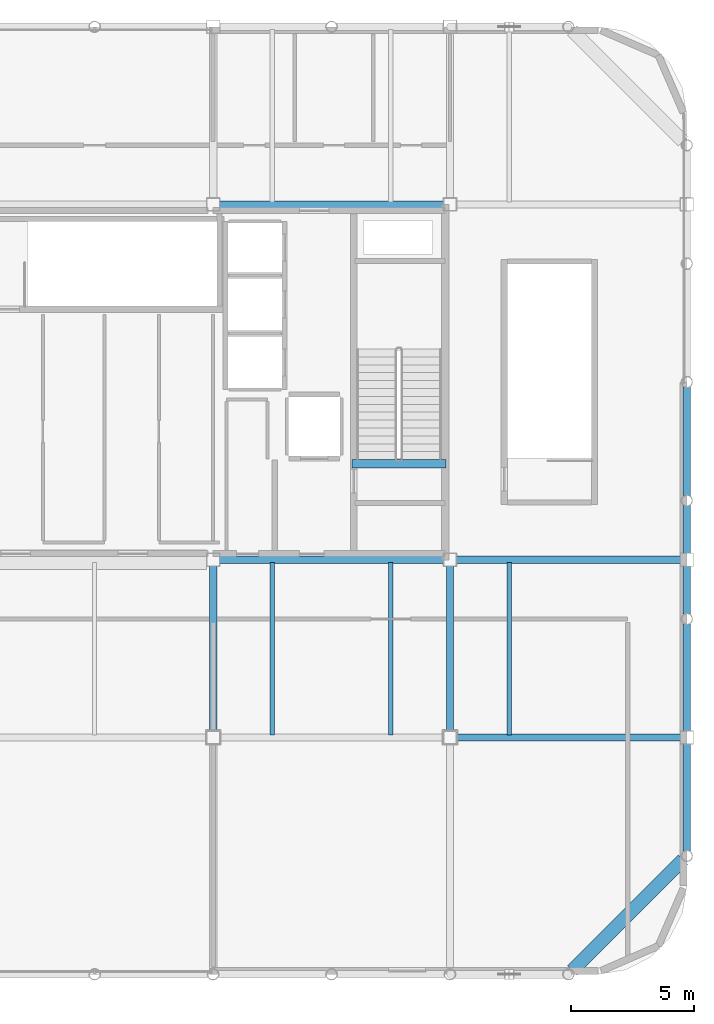
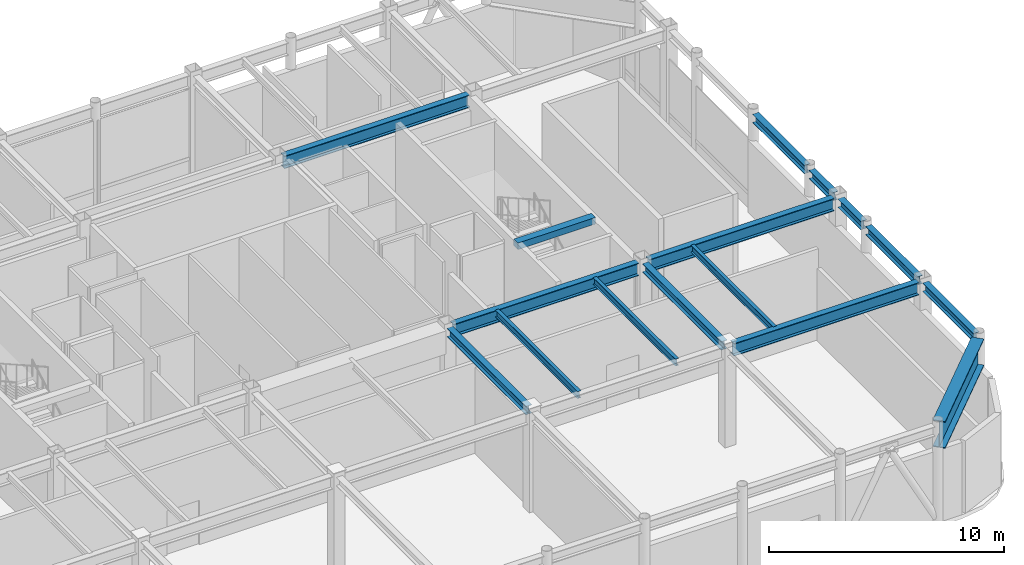
# One storey, part 10 of 21: 16 beams.
"""IFC4 building model written with IfcOpenShell, lengths in metres."""

from ifc_helpers import new_model, si_unit, direction, frame, origin, origin_2d, place, context, subcontext, project, spatial, rectangle, i_section, extrude, material, material_profile, profile_set, type_object, element, save


model = new_model("IFC4")

# Units and contexts
model_context = context("Model", 3, precision=1e-05, world=origin(), true_north=direction((0.0, 1.0)))
body_context = subcontext(model_context, "Body", "Model", "MODEL_VIEW")
ifc_project = project(units=[si_unit("LENGTHUNIT", "METRE"), si_unit("AREAUNIT", "SQUARE_METRE"), si_unit("VOLUMEUNIT", "CUBIC_METRE"), si_unit("PLANEANGLEUNIT", "RADIAN"), si_unit("MASSUNIT", "GRAM", prefix="KILO")], contexts=[model_context])

# Site, building, storey
site_placement = place(None, origin())
site = spatial("IfcSite", under=ifc_project, at=site_placement, CompositionType="ELEMENT")
building_placement = place(site_placement, origin())
building = spatial("IfcBuilding", under=site, at=building_placement, Name="Kallvorn Hotel Tower", CompositionType="ELEMENT")
storey_placement = place(building_placement, frame((0.0, 0.0, 300.60009765625)))
storey = spatial("IfcBuildingStorey", under=building, at=storey_placement, Name="L74", CompositionType="ELEMENT", Elevation=300.60009765625)

# Beams
ifc_material_1 = material(Name="Structural steel S355JR", Category="steel")
ifc_material_profile_1 = material_profile(ifc_material_1, i_section(OverallWidth=0.300048828125, OverallDepth=0.43994140625, WebThickness=0.011474609375, FlangeThickness=0.02099609375, at=origin_2d()), Name="HE 450 A")
ifc_profile_set_1 = profile_set([ifc_material_profile_1], Name="Structural steel S355JR")
beam_type_1 = type_object("IfcBeamType", Name="BM_HE450A", PredefinedType="BEAM", material=ifc_profile_set_1)
for number, where, z_axis, x_axis, name in (
    (1, (4.800048828125, -14.14990234375, 4.93994140625), (0.0, 1.0, 0.0), (-1.0, 0.0, 0.0), "ROOF Primary Y-Girder 41"),
    (2, (14.39990234375, -14.14990234375, 4.93994140625), (0.0, 1.0, 0.0), (-1.0, 0.0, 0.0), "ROOF Primary Y-Girder 44"),
):
    element("IfcBeam", number, at=place(storey_placement, frame(where, z_axis=z_axis, x_axis=x_axis)), inside=storey, type_object=beam_type_1, Name=name, PredefinedType="BEAM", context=body_context, shape_type="SweptSolid", body=[
        extrude(i_section(OverallWidth=0.300048828125, OverallDepth=0.43994140625, WebThickness=0.011474609375, FlangeThickness=0.02099609375, at=origin_2d()), origin(), (0.0, 0.0, 1.0), 6.699951171875),
    ])
beam_1_placement = place(storey_placement, frame((24.0, -18.99658203125, 4.93994140625), z_axis=(0.0, 1.0, 0.0), x_axis=(-1.0, 0.0, 0.0)))
element("IfcBeam", 3, at=beam_1_placement, inside=storey, type_object=beam_type_1, Name="ROOF Primary Y-Girder 46", PredefinedType="BEAM", context=body_context, shape_type="SweptSolid", body=[
    extrude(i_section(OverallWidth=0.300048828125, OverallDepth=0.43994140625, WebThickness=0.011474609375, FlangeThickness=0.02099609375, at=origin_2d()), origin(), (0.0, 0.0, 1.0), 4.3466796875),
])
beam_2_placement = place(storey_placement, frame((24.0, -14.14990234375, 4.93994140625), z_axis=(0.0, 1.0, 0.0), x_axis=(-1.0, 0.0, 0.0)))
element("IfcBeam", 4, at=beam_2_placement, inside=storey, type_object=beam_type_1, Name="ROOF Primary Y-Girder 47", PredefinedType="BEAM", context=body_context, shape_type="SweptSolid", body=[
    extrude(i_section(OverallWidth=0.300048828125, OverallDepth=0.43994140625, WebThickness=0.011474609375, FlangeThickness=0.02099609375, at=origin_2d()), origin(), (0.0, 0.0, 1.0), 4.346435546875),
])
for number, where, z_axis, x_axis, name in (
    (5, (24.0, -9.396484375, 4.93994140625), (0.0, 1.0, 0.0), (-1.0, 0.0, 0.0), "ROOF Primary Y-Girder 48"),
    (6, (24.0, -6.949951171875, 4.93994140625), (0.0, 1.0, 0.0), (-1.0, 0.0, 0.0), "ROOF Primary Y-Girder 49"),
):
    element("IfcBeam", number, at=place(storey_placement, frame(where, z_axis=z_axis, x_axis=x_axis)), inside=storey, type_object=beam_type_1, Name=name, PredefinedType="BEAM", context=body_context, shape_type="SweptSolid", body=[
        extrude(i_section(OverallWidth=0.300048828125, OverallDepth=0.43994140625, WebThickness=0.011474609375, FlangeThickness=0.02099609375, at=origin_2d()), origin(), (0.0, 0.0, 1.0), 1.946533203125),
    ])
beam_3_placement = place(storey_placement, frame((24.0, -4.596435546875, 4.93994140625), z_axis=(0.0, 1.0, 0.0), x_axis=(-1.0, 0.0, 0.0)))
element("IfcBeam", 7, at=beam_3_placement, inside=storey, type_object=beam_type_1, Name="ROOF Primary Y-Girder 50", PredefinedType="BEAM", context=body_context, shape_type="SweptSolid", body=[
    extrude(i_section(OverallWidth=0.300048828125, OverallDepth=0.43994140625, WebThickness=0.011474609375, FlangeThickness=0.02099609375, at=origin_2d()), origin(), (0.0, 0.0, 1.0), 4.392822265625),
])
ifc_material_2 = material(Name="Structural steel S355JR", Category="steel")
ifc_material_profile_2 = material_profile(ifc_material_2, i_section(OverallWidth=0.300048828125, OverallDepth=0.64990234375, WebThickness=0.01611328125, FlangeThickness=0.031005859375, at=origin_2d()), Name="HE 650 B")
ifc_profile_set_2 = profile_set([ifc_material_profile_2], Name="Structural steel S355JR")
beam_type_2 = type_object("IfcBeamType", Name="BM_HE650B", PredefinedType="BEAM", material=ifc_profile_set_2)
beam_4_placement = place(storey_placement, frame((14.64990234375, -14.39990234375, 4.8349609375), z_axis=(1.0, 0.0, 0.0), x_axis=(0.0, 1.0, 0.0)))
element("IfcBeam", 8, at=beam_4_placement, inside=storey, type_object=beam_type_2, Name="ROOF Primary X-Girder 06", PredefinedType="BEAM", context=body_context, shape_type="SweptSolid", body=[
    extrude(i_section(OverallWidth=0.300048828125, OverallDepth=0.64990234375, WebThickness=0.01611328125, FlangeThickness=0.031005859375, at=origin_2d()), origin(), (0.0, 0.0, 1.0), 9.10009765625),
])
beam_5_placement = place(storey_placement, frame((5.050048828125, -7.199951171875, 4.8349609375), z_axis=(1.0, 0.0, 0.0), x_axis=(0.0, 1.0, 0.0)))
element("IfcBeam", 9, at=beam_5_placement, inside=storey, type_object=beam_type_2, Name="ROOF Primary X-Girder 09", PredefinedType="BEAM", context=body_context, shape_type="SweptSolid", body=[
    extrude(i_section(OverallWidth=0.300048828125, OverallDepth=0.64990234375, WebThickness=0.01611328125, FlangeThickness=0.031005859375, at=origin_2d()), origin(), (0.0, 0.0, 1.0), 9.099853515625),
])
beam_6_placement = place(storey_placement, frame((14.64990234375, -7.199951171875, 4.8349609375), z_axis=(1.0, 0.0, 0.0), x_axis=(0.0, 1.0, 0.0)))
element("IfcBeam", 10, at=beam_6_placement, inside=storey, type_object=beam_type_2, Name="ROOF Primary X-Girder 10", PredefinedType="BEAM", context=body_context, shape_type="SweptSolid", body=[
    extrude(i_section(OverallWidth=0.300048828125, OverallDepth=0.64990234375, WebThickness=0.01611328125, FlangeThickness=0.031005859375, at=origin_2d()), origin(), (0.0, 0.0, 1.0), 9.10009765625),
])
beam_7_placement = place(storey_placement, frame((5.050048828125, 7.199951171875, 4.8349609375), z_axis=(1.0, 0.0, 0.0), x_axis=(0.0, 1.0, 0.0)))
element("IfcBeam", 11, at=beam_7_placement, inside=storey, type_object=beam_type_2, Name="ROOF Primary X-Girder 14", PredefinedType="BEAM", context=body_context, shape_type="SweptSolid", body=[
    extrude(i_section(OverallWidth=0.300048828125, OverallDepth=0.64990234375, WebThickness=0.01611328125, FlangeThickness=0.031005859375, at=origin_2d()), origin(), (0.0, 0.0, 1.0), 9.099853515625),
])
ifc_material_3 = material(Name="Structural steel S355JR", Category="steel")
ifc_material_profile_3 = material_profile(ifc_material_3, i_section(OverallWidth=0.169921875, OverallDepth=0.360107421875, WebThickness=0.008056640625, FlangeThickness=0.0126953125, at=origin_2d()), Name="IPE 360")
ifc_profile_set_3 = profile_set([ifc_material_profile_3], Name="Structural steel S355JR")
beam_type_3 = type_object("IfcBeamType", Name="BM_IPE360", PredefinedType="JOIST", material=ifc_profile_set_3)
for number, where, z_axis, x_axis, name in (
    (12, (7.199951171875, -14.300048828125, 4.97998046875), (0.0, 1.0, 0.0), (-1.0, 0.0, 0.0), "ROOF Secondary Composite Joist 99"),
    (13, (12.0, -14.300048828125, 4.97998046875), (0.0, 1.0, 0.0), (-1.0, 0.0, 0.0), "ROOF Secondary Composite Joist 101"),
    (14, (16.800048828125, -14.300048828125, 4.97998046875), (0.0, 1.0, 0.0), (-1.0, 0.0, 0.0), "ROOF Secondary Composite Joist 103"),
):
    element("IfcBeam", number, at=place(storey_placement, frame(where, z_axis=z_axis, x_axis=x_axis)), inside=storey, type_object=beam_type_3, Name=name, PredefinedType="JOIST", context=body_context, shape_type="SweptSolid", body=[
        extrude(i_section(OverallWidth=0.169921875, OverallDepth=0.360107421875, WebThickness=0.008056640625, FlangeThickness=0.0126953125, at=origin_2d()), origin(), (0.0, 0.0, 1.0), 7.0),
    ])
ifc_material_4 = material(Name="Structural steel S355JR", Category="steel")
ifc_material_profile_4 = material_profile(ifc_material_4, i_section(OverallWidth=0.550048828125, OverallDepth=1.39990234375, WebThickness=0.02490234375, FlangeThickness=0.044921875, at=origin_2d()), Name="PG 1400x550x25x45")
ifc_profile_set_4 = profile_set([ifc_material_profile_4], Name="Structural steel S355JR")
beam_type_4 = type_object("IfcBeamType", Name="BM_PG_1400", PredefinedType="BEAM", material=ifc_profile_set_4)
beam_8_placement = place(storey_placement, frame((23.845458984375, -19.3544921875, 4.4599609375), z_axis=(-0.707106781187, -0.707106781187, 0.0), x_axis=(0.707106781187, -0.707106781187, 0.0)))
element("IfcBeam", 15, at=beam_8_placement, inside=storey, type_object=beam_type_4, Name="ROOF Rounded Corner Tie Beam 88", PredefinedType="BEAM", context=body_context, shape_type="SweptSolid", body=[
    extrude(i_section(OverallWidth=0.550048828125, OverallDepth=1.39990234375, WebThickness=0.02490234375, FlangeThickness=0.044921875, at=origin_2d()), origin(), (0.0, 0.0, 1.0), 6.35107421875),
])
ifc_material_5 = material(Name="Concrete C50/60", Category="concrete")
ifc_material_profile_5 = material_profile(ifc_material_5, rectangle(XDim=0.360107421875, YDim=0.340087890625, at=origin_2d()), Name="RC 360x340")
ifc_profile_set_5 = profile_set([ifc_material_profile_5], Name="Concrete C50/60")
beam_type_5 = type_object("IfcBeamType", Name="BM_RC_400x360", PredefinedType="BEAM", material=ifc_profile_set_5)
beam_9_placement = place(storey_placement, frame((14.239990234375, -3.31005859375, 4.989990234375), z_axis=(-1.0, 0.0, 0.0), x_axis=(0.0, -1.0, 0.0)))
element("IfcBeam", 16, at=beam_9_placement, inside=storey, type_object=beam_type_5, Name="ROOF Stair ST2 Arrival Trimmer Beam", PredefinedType="BEAM", context=body_context, shape_type="SweptSolid", body=[
    extrude(rectangle(XDim=0.360107421875, YDim=0.340087890625, at=origin_2d()), origin(), (0.0, 0.0, 1.0), 3.820068359375),
])

save(model, "model.ifc")
